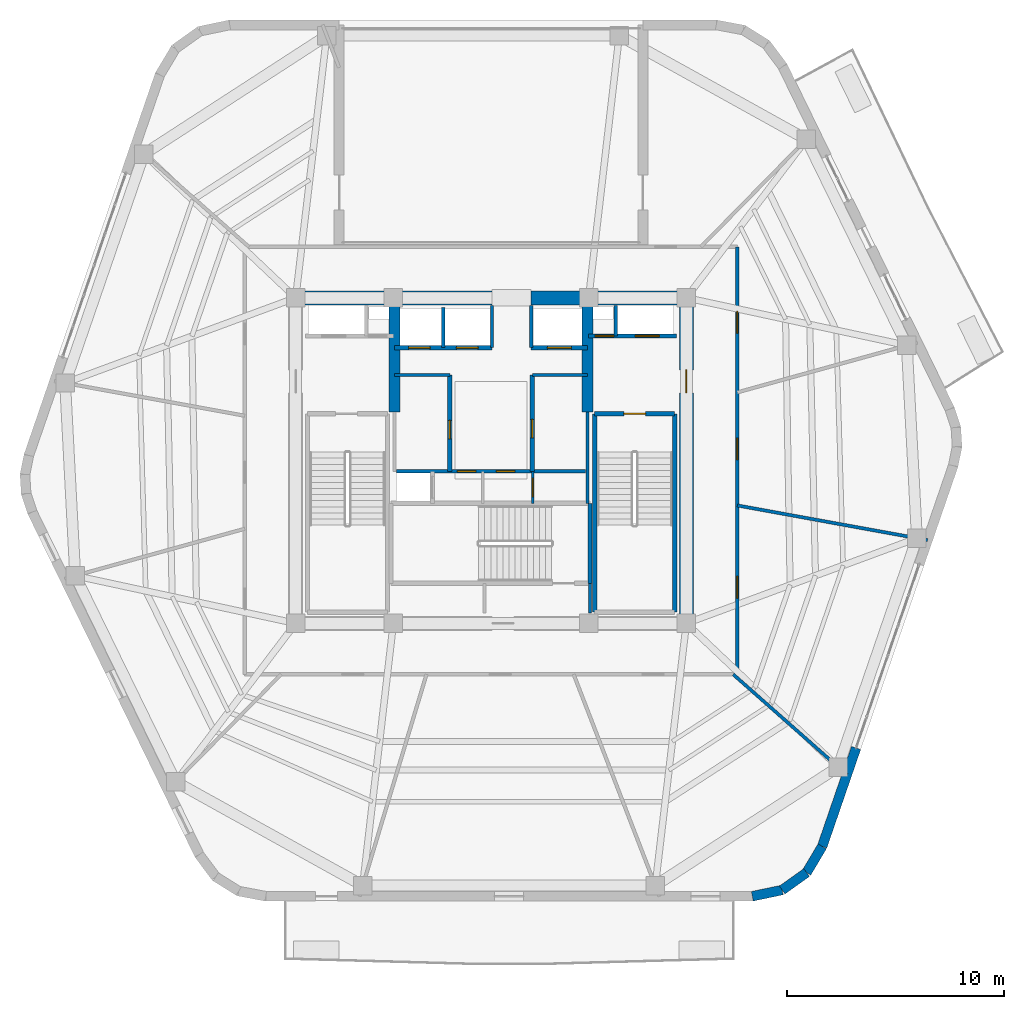
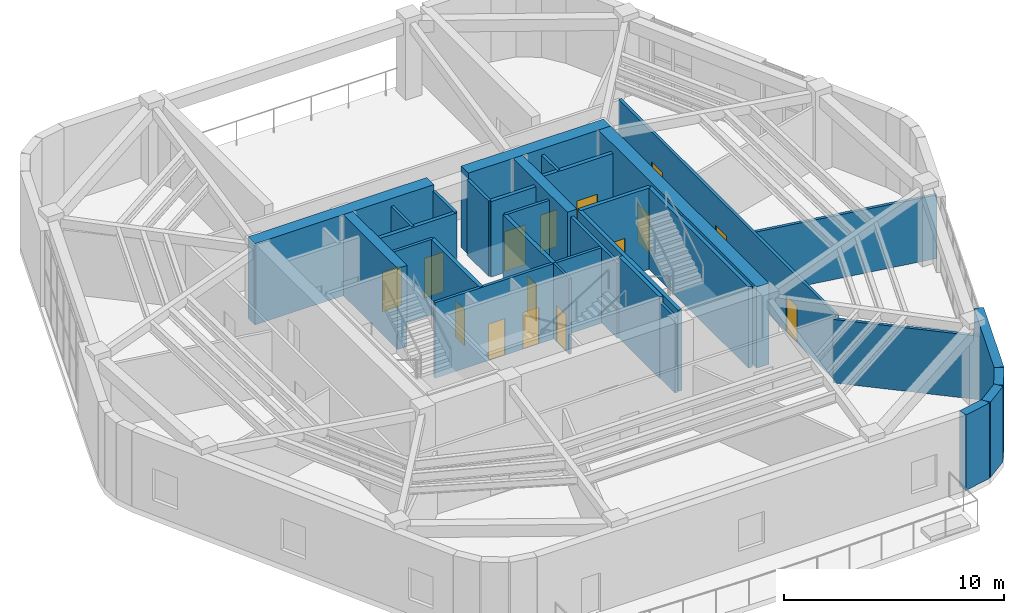
# One storey, part 12 of 15: 31 walls, 15 doors, 15 openings.
"""IFC4 building model written with IfcOpenShell, lengths in metres."""

from ifc_helpers import new_model, si_unit, direction, frame, frame_2d, origin, place, context, subcontext, project, spatial, rectangle, extrude, material, layer, layer_set, type_object, element, fill, save


model = new_model("IFC4")

# Units and contexts
model_context = context("Model", 3, precision=1e-05, world=origin(), true_north=direction((0.0, 1.0)))
body_context = subcontext(model_context, "Body", "Model", "MODEL_VIEW")
ifc_project = project(units=[si_unit("LENGTHUNIT", "METRE"), si_unit("AREAUNIT", "SQUARE_METRE"), si_unit("VOLUMEUNIT", "CUBIC_METRE"), si_unit("PLANEANGLEUNIT", "RADIAN"), si_unit("MASSUNIT", "GRAM", prefix="KILO")], contexts=[model_context])

# Site, building, storey
site_placement = place(None, origin())
site = spatial("IfcSite", under=ifc_project, at=site_placement, CompositionType="ELEMENT")
building_placement = place(site_placement, origin())
building = spatial("IfcBuilding", under=site, at=building_placement, Name="Kilnhurst Terrace Hotel", CompositionType="ELEMENT")
storey_placement = place(building_placement, frame((0.0, 0.0, 288.60009765625)))
storey = spatial("IfcBuildingStorey", under=building, at=storey_placement, Name="L72", CompositionType="ELEMENT", Elevation=288.60009765625)

# Walls
ifc_material_1 = material(Name="Precast concrete C40/50", Category="concrete")
ifc_layer_1 = layer(ifc_material_1, 0.449951171875, Name="Precast concrete C40/50")
ifc_layer_set_1 = layer_set([ifc_layer_1], Name="Precast concrete C40/50")
wall_type_1 = type_object("IfcWallType", Name="WL-BRK-450", PredefinedType="SOLIDWALL", material=ifc_layer_set_1)
wall_1_placement = place(storey_placement, frame((12.038330078125, -20.074951171875, 0.0), z_axis=(0.0, 0.0, 1.0), x_axis=(0.978750122553, 0.205056571711, 0.0)))
element("IfcWall", 1, at=wall_1_placement, inside=storey, type_object=wall_type_1, Name="L72 Rounded Corner Brick Wall C2.1", PredefinedType="SOLIDWALL", context=body_context, shape_type="SweptSolid", body=[
    extrude(rectangle(XDim=1.406005859375, YDim=0.449951171875, at=frame_2d((0.703125, 0.0))), origin(), (0.0, 0.0, 1.0), 4.179931640625),
])
wall_2_placement = place(storey_placement, frame((13.41455078125, -19.78662109375, 0.0), z_axis=(0.0, 0.0, 1.0), x_axis=(0.814055493997, 0.580787097561, 0.0)))
element("IfcWall", 2, at=wall_2_placement, inside=storey, type_object=wall_type_1, Name="L72 Rounded Corner Brick Wall C2.2", PredefinedType="SOLIDWALL", context=body_context, shape_type="SweptSolid", body=[
    extrude(rectangle(XDim=1.382568359375, YDim=0.449951171875, at=frame_2d((0.69140625, 0.0))), origin(), (0.0, 0.0, 1.0), 4.179931640625),
])
wall_3_placement = place(storey_placement, frame((14.5400390625, -18.983642578125, 0.0), z_axis=(0.0, 0.0, 1.0), x_axis=(0.512374906623, 0.858761873317, 0.0)))
element("IfcWall", 3, at=wall_3_placement, inside=storey, type_object=wall_type_1, Name="L72 Rounded Corner Brick Wall C2.3", PredefinedType="SOLIDWALL", context=body_context, shape_type="SweptSolid", body=[
    extrude(rectangle(XDim=1.406005859375, YDim=0.449951171875, at=frame_2d((0.703125, 0.0))), origin(), (0.0, 0.0, 1.0), 4.179931640625),
])
wall_4_placement = place(storey_placement, frame((15.260498046875, -17.776123046875, 0.0), z_axis=(0.0, 0.0, 1.0), x_axis=(0.325408461582, 0.945573547182, 0.0)))
element("IfcWall", 4, at=wall_4_placement, inside=storey, type_object=wall_type_1, Name="L72 Face 2 Brick Pier 1", PredefinedType="SOLIDWALL", context=body_context, shape_type="SweptSolid", body=[
    extrude(rectangle(XDim=4.794921875, YDim=0.449951171875, at=frame_2d((2.3974609375, 0.0))), origin(), (0.0, 0.0, 1.0), 4.179931640625),
])

# Wall, openings, doors
ifc_material_2 = material(Name="Acoustic Double-Gypsum Corridor Partition Assembly")
ifc_layer_2 = layer(ifc_material_2, 0.14990234375, Name="Acoustic Double-Gypsum Corridor Partition Assembly")
ifc_layer_set_2 = layer_set([ifc_layer_2], Name="Acoustic Double-Gypsum Corridor Partition Assembly")
wall_type_2 = type_object("IfcWallType", Name="WL-COR-150", PredefinedType="PARTITIONING", material=ifc_layer_set_2)
wall_5_placement = place(storey_placement, frame((11.35009765625, 9.85009765625, 0.0), z_axis=(0.0, 0.0, 1.0), x_axis=(0.0, -1.0, 0.0)))
wall_5 = element("IfcWall", 5, at=wall_5_placement, inside=storey, type_object=wall_type_2, Name="L72 Interior Wall WL-L72-COR-02", PredefinedType="PARTITIONING", context=body_context, shape_type="SweptSolid", body=[
    extrude(rectangle(XDim=19.7001953125, YDim=0.14990234375, at=frame_2d((9.85009765625, 0.0))), origin(), (0.0, 0.0, 1.0), 3.669921875),
])
opening_1_placement = place(wall_5_placement, frame((2.972900390625, 0.0, 0.0)))
opening_1 = element("IfcOpeningElement", 6, at=opening_1_placement, cuts=wall_5, Name="Opening D-10A", PredefinedType="OPENING", context=body_context, shape_type="SweptSolid", body=[
    extrude(rectangle(XDim=1.0, YDim=2.030029296875, at=frame_2d((0.5, 1.01513671875))), frame((0.0, 0.0849609375, 0.0), z_axis=(0.0, -1.0, 0.0), x_axis=(1.0, 0.0, 0.0)), (0.0, 0.0, 1.0), 0.169921875),
])
opening_2_placement = place(wall_5_placement, frame((15.18896484375, 0.0, 0.0)))
opening_2 = element("IfcOpeningElement", 7, at=opening_2_placement, cuts=wall_5, Name="Opening D-10A", PredefinedType="OPENING", context=body_context, shape_type="SweptSolid", body=[
    extrude(rectangle(XDim=1.0, YDim=2.030029296875, at=frame_2d((0.5, 1.01513671875))), frame((0.0, 0.0849609375, 0.0), z_axis=(0.0, -1.0, 0.0), x_axis=(1.0, 0.0, 0.0)), (0.0, 0.0, 1.0), 0.169921875),
])
opening_3_placement = place(wall_5_placement, frame((8.81005859375, 0.0, 0.0)))
opening_3 = element("IfcOpeningElement", 8, at=opening_3_placement, cuts=wall_5, Name="Opening D-10A", PredefinedType="OPENING", context=body_context, shape_type="SweptSolid", body=[
    extrude(rectangle(XDim=1.0, YDim=2.030029296875, at=frame_2d((0.5, 1.01513671875))), frame((0.0, 0.0849609375, 0.0), z_axis=(0.0, -1.0, 0.0), x_axis=(1.0, 0.0, 0.0)), (0.0, 0.0, 1.0), 0.169921875),
])
ifc_material_3 = material(Name="Solid-Core American White Oak Interior Door")
door_type_1 = type_object("IfcDoorType", Name="DR-INT-1000", OperationType="NOTDEFINED", PredefinedType="DOOR", material=ifc_material_3)
door_1_placement = place(opening_1_placement, origin())
door_1 = element("IfcDoor", 9, at=door_1_placement, inside=storey, type_object=door_type_1, Name="L72 East Wind Portal Viewing Gallery West Wing Door", OperationType="SINGLE_SWING_LEFT", OverallHeight=2.030029296875, OverallWidth=1.0, PredefinedType="DOOR", context=body_context, shape_type="SweptSolid", body=[
    extrude(rectangle(XDim=1.0, YDim=2.030029296875, at=frame_2d((0.5, 1.01513671875))), frame((0.0, 0.02490234375, 0.0), z_axis=(0.0, -1.0, 0.0), x_axis=(1.0, 0.0, 0.0)), (0.0, 0.0, 1.0), 0.050048828125),
])
fill(opening_1, door_1)
door_2_placement = place(opening_2_placement, origin())
door_2 = element("IfcDoor", 10, at=door_2_placement, inside=storey, type_object=door_type_1, Name="L72 Portal Tasting Servery Kitchen Center Wing Door", OperationType="SINGLE_SWING_LEFT", OverallHeight=2.030029296875, OverallWidth=1.0, PredefinedType="DOOR", context=body_context, shape_type="SweptSolid", body=[
    extrude(rectangle(XDim=1.0, YDim=2.030029296875, at=frame_2d((0.5, 1.01513671875))), frame((0.0, 0.02490234375, 0.0), z_axis=(0.0, -1.0, 0.0), x_axis=(1.0, 0.0, 0.0)), (0.0, 0.0, 1.0), 0.050048828125),
])
fill(opening_2, door_2)
door_3_placement = place(opening_3_placement, origin())
door_3 = element("IfcDoor", 11, at=door_3_placement, inside=storey, type_object=door_type_1, Name="L72 Portal Accessible Toilets Block Door", OperationType="SINGLE_SWING_RIGHT", OverallHeight=2.030029296875, OverallWidth=1.0, PredefinedType="DOOR", context=body_context, shape_type="SweptSolid", body=[
    extrude(rectangle(XDim=1.0, YDim=2.030029296875, at=frame_2d((0.5, 1.01513671875))), frame((0.0, 0.02490234375, 0.0), z_axis=(0.0, -1.0, 0.0), x_axis=(1.0, 0.0, 0.0)), (0.0, 0.0, 1.0), 0.050048828125),
])
fill(opening_3, door_3)

# Walls
ifc_material_4 = material(Name="Concrete C60/75", Category="concrete")
ifc_layer_3 = layer(ifc_material_4, 0.64990234375, Name="Concrete C60/75")
ifc_layer_set_3 = layer_set([ifc_layer_3], Name="Concrete C60/75")
wall_type_3 = type_object("IfcWallType", Name="WL-CORE-650", PredefinedType="SHEAR", material=ifc_layer_set_3)
wall_6_placement = place(storey_placement, frame((-9.324951171875, 7.5, 0.0), z_axis=(0.0, 0.0, 1.0), x_axis=(1.0, 0.0, 0.0)))
element("IfcWall", 12, at=wall_6_placement, inside=storey, type_object=wall_type_3, Name="L72 Core North West Shear Wall", PredefinedType="SHEAR", context=body_context, shape_type="SweptSolid", body=[
    extrude(rectangle(XDim=9.375, YDim=0.64990234375, at=frame_2d((4.6875, 0.0))), origin(), (0.0, 0.0, 1.0), 4.5),
])
wall_7_placement = place(storey_placement, frame((1.85009765625, 7.5, 0.0), z_axis=(0.0, 0.0, 1.0), x_axis=(1.0, 0.0, 0.0)))
element("IfcWall", 13, at=wall_7_placement, inside=storey, type_object=wall_type_3, Name="L72 Core North East Shear Wall", PredefinedType="SHEAR", context=body_context, shape_type="SweptSolid", body=[
    extrude(rectangle(XDim=7.474853515625, YDim=0.64990234375, at=frame_2d((3.7373046875, 0.0))), origin(), (0.0, 0.0, 1.0), 4.5),
])

# Wall, opening, door
wall_8_placement = place(storey_placement, frame((9.0, -7.175048828125, 0.0), z_axis=(0.0, 0.0, 1.0), x_axis=(0.0, 1.0, 0.0)))
wall_8 = element("IfcWall", 14, at=wall_8_placement, inside=storey, type_object=wall_type_3, Name="L72 Core East Shear Wall", PredefinedType="SHEAR", context=body_context, shape_type="SweptSolid", body=[
    extrude(rectangle(XDim=14.35009765625, YDim=0.64990234375, at=frame_2d((7.175048828125, 0.0))), origin(), (0.0, 0.0, 1.0), 4.5),
])
opening_4_placement = place(wall_8_placement, frame((10.300048828125, 0.0, 0.0)))
opening_4 = element("IfcOpeningElement", 15, at=opening_4_placement, cuts=wall_8, Name="Opening D-90A", PredefinedType="OPENING", context=body_context, shape_type="SweptSolid", body=[
    extrude(rectangle(XDim=1.050048828125, YDim=2.14990234375, at=frame_2d((0.52490234375, 1.074951171875))), frame((0.0, 0.3349609375, 0.0), z_axis=(0.0, -1.0, 0.0), x_axis=(1.0, 0.0, 0.0)), (0.0, 0.0, 1.0), 0.669921875),
])
ifc_material_5 = material(Name="Painted Hollow Metal Steel ASTM A36 Fire Door", Category="steel")
door_type_2 = type_object("IfcDoorType", Name="DR-FD90-1050", OperationType="NOTDEFINED", PredefinedType="DOOR", material=ifc_material_5)
door_4_placement = place(opening_4_placement, origin())
door_4 = element("IfcDoor", 16, at=door_4_placement, inside=storey, type_object=door_type_2, Name="L72 East Firefighting Lobby Door", OperationType="SINGLE_SWING_LEFT", OverallHeight=2.14990234375, OverallWidth=1.050048828125, PredefinedType="DOOR", context=body_context, shape_type="SweptSolid", body=[
    extrude(rectangle(XDim=1.050048828125, YDim=2.14990234375, at=frame_2d((0.52490234375, 1.074951171875))), frame((0.0, 0.02490234375, 0.0), z_axis=(0.0, -1.0, 0.0), x_axis=(1.0, 0.0, 0.0)), (0.0, 0.0, 1.0), 0.050048828125),
])
fill(opening_4, door_4)

# Walls
ifc_layer_4 = layer(ifc_material_4, 0.5, Name="Concrete C60/75")
ifc_layer_set_4 = layer_set([ifc_layer_4], Name="Concrete C60/75")
wall_type_4 = type_object("IfcWallType", Name="WL-CORE-WEB-500", PredefinedType="SHEAR", material=ifc_layer_set_4)
for number, where, z_axis, x_axis, name in (
    (17, (-4.449951171875, 2.25, 0.0), (0.0, 0.0, 1.0), (0.0, 1.0, 0.0), "L72 Core Internal West Shear Web"),
    (18, (4.449951171875, 2.25, 0.0), (0.0, 0.0, 1.0), (0.0, 1.0, 0.0), "L72 Core Internal East Shear Web"),
):
    element("IfcWall", number, at=place(storey_placement, frame(where, z_axis=z_axis, x_axis=x_axis)), inside=storey, type_object=wall_type_4, Name=name, PredefinedType="SHEAR", context=body_context, shape_type="SweptSolid", body=[
        extrude(rectangle(XDim=4.925048828125, YDim=0.5, at=frame_2d((2.46240234375, 0.0))), origin(), (0.0, 0.0, 1.0), 4.5),
    ])

# Wall, opening, door
ifc_material_6 = material(Name="120 mm Moisture-Resistant Tile-Backed Bathroom Partition")
ifc_layer_5 = layer(ifc_material_6, 0.1201171875, Name="120 mm Moisture-Resistant Tile-Backed Bathroom Partition")
ifc_layer_set_5 = layer_set([ifc_layer_5], Name="120 mm Moisture-Resistant Tile-Backed Bathroom Partition")
wall_type_5 = type_object("IfcWallType", Name="WL-PART-120", PredefinedType="PARTITIONING", material=ifc_layer_set_5)
wall_9_placement = place(storey_placement, frame((1.919921875, -1.971923828125, 0.0), z_axis=(0.0, 0.0, 1.0), x_axis=(0.0, 1.0, 0.0)))
wall_9 = element("IfcWall", 19, at=wall_9_placement, inside=storey, type_object=wall_type_5, Name="L72 Interior Wall WL-L72-BOH-C2", PredefinedType="PARTITIONING", context=body_context, shape_type="SweptSolid", body=[
    extrude(rectangle(XDim=1.471923828125, YDim=0.1201171875, at=frame_2d((0.73583984375, 0.0))), origin(), (0.0, 0.0, 1.0), 4.179931640625),
])
opening_5_placement = place(wall_9_placement, frame((0.300048828125, 0.0, 0.0)))
opening_5 = element("IfcOpeningElement", 20, at=opening_5_placement, cuts=wall_9, Name="Opening D-08A", PredefinedType="OPENING", context=body_context, shape_type="SweptSolid", body=[
    extrude(rectangle(XDim=0.85009765625, YDim=2.030029296875, at=frame_2d((0.425048828125, 1.01513671875))), frame((0.0, 0.070068359375, 0.0), z_axis=(0.0, -1.0, 0.0), x_axis=(1.0, 0.0, 0.0)), (0.0, 0.0, 1.0), 0.14013671875),
])
ifc_material_7 = material(Name="Moisture-Resistant Lacquered En-suite Bathroom Door")
door_type_3 = type_object("IfcDoorType", Name="DR-INT-850", OperationType="NOTDEFINED", PredefinedType="DOOR", material=ifc_material_7)
door_5_placement = place(opening_5_placement, origin())
door_5 = element("IfcDoor", 21, at=door_5_placement, inside=storey, type_object=door_type_3, Name="L72 Staff Restroom Door", OperationType="SINGLE_SWING_RIGHT", OverallHeight=2.030029296875, OverallWidth=0.85009765625, PredefinedType="DOOR", context=body_context, shape_type="SweptSolid", body=[
    extrude(rectangle(XDim=0.85009765625, YDim=2.030029296875, at=frame_2d((0.425048828125, 1.01513671875))), frame((0.0, 0.02490234375, 0.0), z_axis=(0.0, -1.0, 0.0), x_axis=(1.0, 0.0, 0.0)), (0.0, 0.0, 1.0), 0.050048828125),
])
fill(opening_5, door_5)

# Walls
ifc_material_8 = material(Name="150 mm Acoustic Gypsum Hospitality Partition")
ifc_layer_6 = layer(ifc_material_8, 0.14990234375, Name="150 mm Acoustic Gypsum Hospitality Partition")
ifc_layer_set_6 = layer_set([ifc_layer_6], Name="150 mm Acoustic Gypsum Hospitality Partition")
wall_type_6 = type_object("IfcWallType", Name="WL-PART-150", PredefinedType="PARTITIONING", material=ifc_layer_set_6)
wall_10_placement = place(storey_placement, frame((11.1572265625, -9.85009765625, 0.0), z_axis=(0.0, 0.0, 1.0), x_axis=(0.74966962095, -0.661812253909, 0.0)))
element("IfcWall", 22, at=wall_10_placement, inside=storey, type_object=wall_type_6, Name="L72 Interior Wall WL-L72-SCOL-11-1", PredefinedType="PARTITIONING", context=body_context, shape_type="SweptSolid", body=[
    extrude(rectangle(XDim=6.98876953125, YDim=0.14990234375, at=frame_2d((3.494384765625, 0.0))), origin(), (0.0, 0.0, 1.0), 3.52001953125),
])
wall_11_placement = place(storey_placement, frame((11.35009765625, -2.067138671875, 0.0), z_axis=(0.0, 0.0, 1.0), x_axis=(0.983816386236, -0.179179569634, 0.0)))
element("IfcWall", 23, at=wall_11_placement, inside=storey, type_object=wall_type_6, Name="L72 Interior Wall WL-L72-SCOL-12-1", PredefinedType="PARTITIONING", context=body_context, shape_type="SweptSolid", body=[
    extrude(rectangle(XDim=8.9111328125, YDim=0.14990234375, at=frame_2d((4.45556640625, 0.0))), origin(), (0.0, 0.0, 1.0), 3.52001953125),
])
ifc_material_9 = material(Name="Fire-Rated Gypsum Shaftliner Assembly")
ifc_layer_7 = layer(ifc_material_9, 0.14990234375, Name="Fire-Rated Gypsum Shaftliner Assembly")
ifc_layer_set_7 = layer_set([ifc_layer_7], Name="Fire-Rated Gypsum Shaftliner Assembly")
wall_type_7 = type_object("IfcWallType", Name="WL-SHAFT-150", PredefinedType="PARTITIONING", material=ifc_layer_set_7)
wall_12_placement = place(storey_placement, frame((4.55810546875, -7.02001953125, 0.0), z_axis=(0.0, 0.0, 1.0), x_axis=(0.0, 1.0, 0.0)))
element("IfcWall", 24, at=wall_12_placement, inside=storey, type_object=wall_type_7, Name="L72 Interior Wall WL-L72-ST3-PSGE", PredefinedType="PARTITIONING", context=body_context, shape_type="SweptSolid", body=[
    extrude(rectangle(XDim=1.362060546875, YDim=0.14990234375, at=frame_2d((0.68115234375, 0.0))), origin(), (0.0, 0.0, 1.0), 4.179931640625),
])
wall_13_placement = place(storey_placement, frame((5.75, 5.739990234375, 0.0), z_axis=(0.0, 0.0, 1.0), x_axis=(0.0, 1.0, 0.0)))
element("IfcWall", 25, at=wall_13_placement, inside=storey, type_object=wall_type_7, Name="L72 Interior Wall WL-L72-RIS2-DIV", PredefinedType="PARTITIONING", context=body_context, shape_type="SweptSolid", body=[
    extrude(rectangle(XDim=1.409912109375, YDim=0.14990234375, at=frame_2d((0.705078125, 0.0))), origin(), (0.0, 0.0, 1.0), 4.179931640625),
])
wall_14_placement = place(storey_placement, frame((-2.199951171875, 5.199951171875, 0.0), z_axis=(0.0, 0.0, 1.0), x_axis=(0.0, 1.0, 0.0)))
element("IfcWall", 26, at=wall_14_placement, inside=storey, type_object=wall_type_7, Name="L72 Interior Wall WL-L72-HR-DIV1", PredefinedType="PARTITIONING", context=body_context, shape_type="SweptSolid", body=[
    extrude(rectangle(XDim=1.85009765625, YDim=0.14990234375, at=frame_2d((0.925048828125, 0.0))), origin(), (0.0, 0.0, 1.0), 4.179931640625),
])
for number, where, z_axis, x_axis, name in (
    (27, (0.050048828125, 5.199951171875, 0.0), (0.0, 0.0, 1.0), (0.0, 1.0, 0.0), "L72 Interior Wall WL-L72-HR-PORTAL-W"),
    (28, (1.85009765625, 5.199951171875, 0.0), (0.0, 0.0, 1.0), (0.0, 1.0, 0.0), "L72 Interior Wall WL-L72-HR-PORTAL-E"),
):
    element("IfcWall", number, at=place(storey_placement, frame(where, z_axis=z_axis, x_axis=x_axis)), inside=storey, type_object=wall_type_7, Name=name, PredefinedType="PARTITIONING", context=body_context, shape_type="SweptSolid", body=[
        extrude(rectangle(XDim=1.949951171875, YDim=0.14990234375, at=frame_2d((0.97509765625, 0.0))), origin(), (0.0, 0.0, 1.0), 4.179931640625),
    ])
wall_15_placement = place(storey_placement, frame((4.449951171875, -1.971923828125, 0.0), z_axis=(0.0, 0.0, 1.0), x_axis=(0.0, 1.0, 0.0)))
element("IfcWall", 29, at=wall_15_placement, inside=storey, type_object=wall_type_7, Name="L72 Interior Wall WL-L72-XLOB-E", PredefinedType="PARTITIONING", context=body_context, shape_type="SweptSolid", body=[
    extrude(rectangle(XDim=4.221923828125, YDim=0.14990234375, at=frame_2d((2.11083984375, 0.0))), origin(), (0.0, 0.0, 1.0), 4.179931640625),
])
for number, where, z_axis, x_axis, name in (
    (30, (-4.449951171875, 3.93994140625, 0.0), (0.0, 0.0, 1.0), (1.0, 0.0, 0.0), "L72 Interior Wall WL-L72-LR-NORTH"),
    (31, (1.89990234375, 3.93994140625, 0.0), (0.0, 0.0, 1.0), (1.0, 0.0, 0.0), "L72 Interior Wall WL-L72-MR-NORTH"),
):
    element("IfcWall", number, at=place(storey_placement, frame(where, z_axis=z_axis, x_axis=x_axis)), inside=storey, type_object=wall_type_7, Name=name, PredefinedType="PARTITIONING", context=body_context, shape_type="SweptSolid", body=[
        extrude(rectangle(XDim=2.550048828125, YDim=0.14990234375, at=frame_2d((1.27490234375, 0.0))), origin(), (0.0, 0.0, 1.0), 4.179931640625),
    ])

# Wall, openings, doors
wall_16_placement = place(storey_placement, frame((-4.360107421875, -0.489990234375, 0.0), z_axis=(0.0, 0.0, 1.0), x_axis=(1.0, 0.0, 0.0)))
wall_16 = element("IfcWall", 32, at=wall_16_placement, inside=storey, type_object=wall_type_7, Name="L72 Interior Wall WL-L72-BOH-N", PredefinedType="PARTITIONING", context=body_context, shape_type="SweptSolid", body=[
    extrude(rectangle(XDim=8.72021484375, YDim=0.14990234375, at=frame_2d((4.360107421875, 0.0))), origin(), (0.0, 0.0, 1.0), 4.179931640625),
])
opening_6_placement = place(wall_16_placement, frame((2.81005859375, 0.0, 0.0)))
opening_6 = element("IfcOpeningElement", 33, at=opening_6_placement, cuts=wall_16, Name="Opening D-60D", PredefinedType="OPENING", context=body_context, shape_type="SweptSolid", body=[
    extrude(rectangle(XDim=0.85009765625, YDim=2.030029296875, at=frame_2d((0.425048828125, 1.01513671875))), frame((0.0, 0.0849609375, 0.0), z_axis=(0.0, -1.0, 0.0), x_axis=(1.0, 0.0, 0.0)), (0.0, 0.0, 1.0), 0.169921875),
])
opening_7_placement = place(wall_16_placement, frame((4.610107421875, 0.0, 0.0)))
opening_7 = element("IfcOpeningElement", 34, at=opening_7_placement, cuts=wall_16, Name="Opening D-60D", PredefinedType="OPENING", context=body_context, shape_type="SweptSolid", body=[
    extrude(rectangle(XDim=0.85009765625, YDim=2.030029296875, at=frame_2d((0.425048828125, 1.01513671875))), frame((0.0, 0.0849609375, 0.0), z_axis=(0.0, -1.0, 0.0), x_axis=(1.0, 0.0, 0.0)), (0.0, 0.0, 1.0), 0.169921875),
])
ifc_material_10 = material(Name="Painted Hollow Metal Steel ASTM A36 Riser Door", Category="steel")
door_type_4 = type_object("IfcDoorType", Name="DR-FD60-850", OperationType="NOTDEFINED", PredefinedType="DOOR", material=ifc_material_10)
door_6_placement = place(opening_6_placement, origin())
door_6 = element("IfcDoor", 35, at=door_6_placement, inside=storey, type_object=door_type_4, Name="L72 Housekeeping Station Door", OperationType="SINGLE_SWING_LEFT", OverallHeight=2.030029296875, OverallWidth=0.85009765625, PredefinedType="DOOR", context=body_context, shape_type="SweptSolid", body=[
    extrude(rectangle(XDim=0.85009765625, YDim=2.030029296875, at=frame_2d((0.425048828125, 1.01513671875))), frame((0.0, 0.02490234375, 0.0), z_axis=(0.0, -1.0, 0.0), x_axis=(1.0, 0.0, 0.0)), (0.0, 0.0, 1.0), 0.050048828125),
])
fill(opening_6, door_6)
door_7_placement = place(opening_7_placement, origin())
door_7 = element("IfcDoor", 36, at=door_7_placement, inside=storey, type_object=door_type_4, Name="L72 Beverage Pantry Door", OperationType="SINGLE_SWING_RIGHT", OverallHeight=2.030029296875, OverallWidth=0.85009765625, PredefinedType="DOOR", context=body_context, shape_type="SweptSolid", body=[
    extrude(rectangle(XDim=0.85009765625, YDim=2.030029296875, at=frame_2d((0.425048828125, 1.01513671875))), frame((0.0, 0.02490234375, 0.0), z_axis=(0.0, -1.0, 0.0), x_axis=(1.0, 0.0, 0.0)), (0.0, 0.0, 1.0), 0.050048828125),
])
fill(opening_7, door_7)

ifc_material_11 = material(Name="Autoclaved Aerated Concrete C30/37 and Gypsum Shaft Assembly", Category="concrete")
ifc_layer_8 = layer(ifc_material_11, 0.199951171875, Name="Autoclaved Aerated Concrete C30/37 and Gypsum Shaft Assembly")
ifc_layer_set_8 = layer_set([ifc_layer_8], Name="Autoclaved Aerated Concrete C30/37 and Gypsum Shaft Assembly")
wall_type_8 = type_object("IfcWallType", Name="WL-SHAFT-200", PredefinedType="PARTITIONING", material=ifc_layer_set_8)
wall_17_placement = place(storey_placement, frame((4.5, 5.739990234375, 0.0), z_axis=(0.0, 0.0, 1.0), x_axis=(1.0, 0.0, 0.0)))
wall_17 = element("IfcWall", 37, at=wall_17_placement, inside=storey, type_object=wall_type_8, Name="L72 Interior Wall WL-L72-FSAE2-S", PredefinedType="PARTITIONING", context=body_context, shape_type="SweptSolid", body=[
    extrude(rectangle(XDim=4.050048828125, YDim=0.199951171875, at=frame_2d((2.02490234375, 0.0))), origin(), (0.0, 0.0, 1.0), 4.179931640625),
])
opening_8_placement = place(wall_17_placement, frame((0.300048828125, 0.0, 0.0)))
opening_8 = element("IfcOpeningElement", 38, at=opening_8_placement, cuts=wall_17, Name="Opening D-60D", PredefinedType="OPENING", context=body_context, shape_type="SweptSolid", body=[
    extrude(rectangle(XDim=0.85009765625, YDim=2.030029296875, at=frame_2d((0.425048828125, 1.01513671875))), frame((0.0, 0.10986328125, 0.0), z_axis=(0.0, -1.0, 0.0), x_axis=(1.0, 0.0, 0.0)), (0.0, 0.0, 1.0), 0.219970703125),
])
opening_9_placement = place(wall_17_placement, frame((2.14990234375, 0.0, 0.0)))
opening_9 = element("IfcOpeningElement", 39, at=opening_9_placement, cuts=wall_17, Name="Opening LD-F2", PredefinedType="OPENING", context=body_context, shape_type="SweptSolid", body=[
    extrude(rectangle(XDim=1.10009765625, YDim=2.199951171875, at=frame_2d((0.550048828125, 1.10009765625))), frame((0.0, 0.10986328125, 0.0), z_axis=(0.0, -1.0, 0.0), x_axis=(1.0, 0.0, 0.0)), (0.0, 0.0, 1.0), 0.219970703125),
])
door_8_placement = place(opening_8_placement, origin())
door_8 = element("IfcDoor", 40, at=door_8_placement, inside=storey, type_object=door_type_4, Name="L72 Telecom Riser Door", OperationType="SINGLE_SWING_RIGHT", OverallHeight=2.030029296875, OverallWidth=0.85009765625, PredefinedType="DOOR", context=body_context, shape_type="SweptSolid", body=[
    extrude(rectangle(XDim=0.85009765625, YDim=2.030029296875, at=frame_2d((0.425048828125, 1.01513671875))), frame((0.0, 0.02490234375, 0.0), z_axis=(0.0, -1.0, 0.0), x_axis=(1.0, 0.0, 0.0)), (0.0, 0.0, 1.0), 0.050048828125),
])
fill(opening_8, door_8)
ifc_material_12 = material(Name="Bronze-Anodized Stainless Steel AISI 316L Sliding Door", Category="steel")
door_type_5 = type_object("IfcDoorType", Name="DR-LIFT-1100", OperationType="NOTDEFINED", PredefinedType="DOOR", material=ifc_material_12)
door_9_placement = place(opening_9_placement, origin())
door_9 = element("IfcDoor", 41, at=door_9_placement, inside=storey, type_object=door_type_5, Name="L72 FSAE-2 Landing Door", OperationType="SLIDING_TO_RIGHT", OverallHeight=2.199951171875, OverallWidth=1.10009765625, PredefinedType="DOOR", context=body_context, shape_type="SweptSolid", body=[
    extrude(rectangle(XDim=1.10009765625, YDim=2.199951171875, at=frame_2d((0.550048828125, 1.10009765625))), frame((0.0, 0.02490234375, 0.0), z_axis=(0.0, -1.0, 0.0), x_axis=(1.0, 0.0, 0.0)), (0.0, 0.0, 1.0), 0.050048828125),
])
fill(opening_9, door_9)

wall_18_placement = place(storey_placement, frame((-4.449951171875, 5.199951171875, 0.0), z_axis=(0.0, 0.0, 1.0), x_axis=(1.0, 0.0, 0.0)))
wall_18 = element("IfcWall", 42, at=wall_18_placement, inside=storey, type_object=wall_type_8, Name="L72 Interior Wall WL-L72-HR-SW", PredefinedType="PARTITIONING", context=body_context, shape_type="SweptSolid", body=[
    extrude(rectangle(XDim=4.5, YDim=0.199951171875, at=frame_2d((2.25, 0.0))), origin(), (0.0, 0.0, 1.0), 4.179931640625),
])
opening_10_placement = place(wall_18_placement, frame((0.64990234375, 0.0, 0.0)))
opening_10 = element("IfcOpeningElement", 43, at=opening_10_placement, cuts=wall_18, Name="Opening LD-HR", PredefinedType="OPENING", context=body_context, shape_type="SweptSolid", body=[
    extrude(rectangle(XDim=1.0, YDim=2.199951171875, at=frame_2d((0.5, 1.10009765625))), frame((0.0, 0.10986328125, 0.0), z_axis=(0.0, -1.0, 0.0), x_axis=(1.0, 0.0, 0.0)), (0.0, 0.0, 1.0), 0.219970703125),
])
opening_11_placement = place(wall_18_placement, frame((2.85009765625, 0.0, 0.0)))
opening_11 = element("IfcOpeningElement", 44, at=opening_11_placement, cuts=wall_18, Name="Opening LD-HS", PredefinedType="OPENING", context=body_context, shape_type="SweptSolid", body=[
    extrude(rectangle(XDim=1.0, YDim=2.199951171875, at=frame_2d((0.5, 1.10009765625))), frame((0.0, 0.10986328125, 0.0), z_axis=(0.0, -1.0, 0.0), x_axis=(1.0, 0.0, 0.0)), (0.0, 0.0, 1.0), 0.219970703125),
])
door_type_6 = type_object("IfcDoorType", Name="DR-LIFT-1000", OperationType="NOTDEFINED", PredefinedType="DOOR", material=ifc_material_12)
door_10_placement = place(opening_10_placement, origin())
door_10 = element("IfcDoor", 45, at=door_10_placement, inside=storey, type_object=door_type_6, Name="L72 High Rise Lift HR-1 Landing Door", OperationType="SLIDING_TO_LEFT", OverallHeight=2.199951171875, OverallWidth=1.0, PredefinedType="DOOR", context=body_context, shape_type="SweptSolid", body=[
    extrude(rectangle(XDim=1.0, YDim=2.199951171875, at=frame_2d((0.5, 1.10009765625))), frame((0.0, 0.02490234375, 0.0), z_axis=(0.0, -1.0, 0.0), x_axis=(1.0, 0.0, 0.0)), (0.0, 0.0, 1.0), 0.050048828125),
])
fill(opening_10, door_10)
door_11_placement = place(opening_11_placement, origin())
door_11 = element("IfcDoor", 46, at=door_11_placement, inside=storey, type_object=door_type_6, Name="L72 High Rise Lift HR-3 Landing Door", OperationType="SLIDING_TO_RIGHT", OverallHeight=2.199951171875, OverallWidth=1.0, PredefinedType="DOOR", context=body_context, shape_type="SweptSolid", body=[
    extrude(rectangle(XDim=1.0, YDim=2.199951171875, at=frame_2d((0.5, 1.10009765625))), frame((0.0, 0.02490234375, 0.0), z_axis=(0.0, -1.0, 0.0), x_axis=(1.0, 0.0, 0.0)), (0.0, 0.0, 1.0), 0.050048828125),
])
fill(opening_11, door_11)

# Wall, opening, door
wall_19_placement = place(storey_placement, frame((1.85009765625, 5.199951171875, 0.0), z_axis=(0.0, 0.0, 1.0), x_axis=(1.0, 0.0, 0.0)))
wall_19 = element("IfcWall", 47, at=wall_19_placement, inside=storey, type_object=wall_type_8, Name="L72 Interior Wall WL-L72-HR-SE", PredefinedType="PARTITIONING", context=body_context, shape_type="SweptSolid", body=[
    extrude(rectangle(XDim=2.599853515625, YDim=0.199951171875, at=frame_2d((1.2998046875, 0.0))), origin(), (0.0, 0.0, 1.0), 4.179931640625),
])
opening_12_placement = place(wall_19_placement, frame((0.75, 0.0, 0.0)))
opening_12 = element("IfcOpeningElement", 48, at=opening_12_placement, cuts=wall_19, Name="Opening LD-H2", PredefinedType="OPENING", context=body_context, shape_type="SweptSolid", body=[
    extrude(rectangle(XDim=1.10009765625, YDim=2.199951171875, at=frame_2d((0.550048828125, 1.10009765625))), frame((0.0, 0.10986328125, 0.0), z_axis=(0.0, -1.0, 0.0), x_axis=(1.0, 0.0, 0.0)), (0.0, 0.0, 1.0), 0.219970703125),
])
door_12_placement = place(opening_12_placement, origin())
door_12 = element("IfcDoor", 49, at=door_12_placement, inside=storey, type_object=door_type_5, Name="L72 High Rise Lift HR-2 Landing Door", OperationType="SLIDING_TO_RIGHT", OverallHeight=2.199951171875, OverallWidth=1.10009765625, PredefinedType="DOOR", context=body_context, shape_type="SweptSolid", body=[
    extrude(rectangle(XDim=1.10009765625, YDim=2.199951171875, at=frame_2d((0.550048828125, 1.10009765625))), frame((0.0, 0.02490234375, 0.0), z_axis=(0.0, -1.0, 0.0), x_axis=(1.0, 0.0, 0.0)), (0.0, 0.0, 1.0), 0.050048828125),
])
fill(opening_12, door_12)

wall_20_placement = place(storey_placement, frame((-1.89990234375, -0.5, 0.0), z_axis=(0.0, 0.0, 1.0), x_axis=(0.0, 1.0, 0.0)))
wall_20 = element("IfcWall", 50, at=wall_20_placement, inside=storey, type_object=wall_type_8, Name="L72 Interior Wall WL-L72-LR-FRONT", PredefinedType="PARTITIONING", context=body_context, shape_type="SweptSolid", body=[
    extrude(rectangle(XDim=4.43994140625, YDim=0.199951171875, at=frame_2d((2.219970703125, 0.0))), origin(), (0.0, 0.0, 1.0), 4.179931640625),
])
opening_13_placement = place(wall_20_placement, frame((1.5, 0.0, 0.0)))
opening_13 = element("IfcOpeningElement", 51, at=opening_13_placement, cuts=wall_20, Name="Opening D-60D", PredefinedType="OPENING", context=body_context, shape_type="SweptSolid", body=[
    extrude(rectangle(XDim=0.85009765625, YDim=2.030029296875, at=frame_2d((0.425048828125, 1.01513671875))), frame((0.0, 0.10986328125, 0.0), z_axis=(0.0, -1.0, 0.0), x_axis=(1.0, 0.0, 0.0)), (0.0, 0.0, 1.0), 0.219970703125),
])
door_13_placement = place(opening_13_placement, origin())
door_13 = element("IfcDoor", 52, at=door_13_placement, inside=storey, type_object=door_type_4, Name="L72 Reclaimed Linen Room Door", OperationType="SINGLE_SWING_LEFT", OverallHeight=2.030029296875, OverallWidth=0.85009765625, PredefinedType="DOOR", context=body_context, shape_type="SweptSolid", body=[
    extrude(rectangle(XDim=0.85009765625, YDim=2.030029296875, at=frame_2d((0.425048828125, 1.01513671875))), frame((0.0, 0.02490234375, 0.0), z_axis=(0.0, -1.0, 0.0), x_axis=(1.0, 0.0, 0.0)), (0.0, 0.0, 1.0), 0.050048828125),
])
fill(opening_13, door_13)

wall_21_placement = place(storey_placement, frame((1.89990234375, -0.5, 0.0), z_axis=(0.0, 0.0, 1.0), x_axis=(0.0, 1.0, 0.0)))
wall_21 = element("IfcWall", 53, at=wall_21_placement, inside=storey, type_object=wall_type_8, Name="L72 Interior Wall WL-L72-MR-FRONT", PredefinedType="PARTITIONING", context=body_context, shape_type="SweptSolid", body=[
    extrude(rectangle(XDim=4.43994140625, YDim=0.199951171875, at=frame_2d((2.219970703125, 0.0))), origin(), (0.0, 0.0, 1.0), 4.179931640625),
])
opening_14_placement = place(wall_21_placement, frame((1.550048828125, 0.0, 0.0)))
opening_14 = element("IfcOpeningElement", 54, at=opening_14_placement, cuts=wall_21, Name="Opening D-60D", PredefinedType="OPENING", context=body_context, shape_type="SweptSolid", body=[
    extrude(rectangle(XDim=0.85009765625, YDim=2.030029296875, at=frame_2d((0.425048828125, 1.01513671875))), frame((0.0, 0.10986328125, 0.0), z_axis=(0.0, -1.0, 0.0), x_axis=(1.0, 0.0, 0.0)), (0.0, 0.0, 1.0), 0.219970703125),
])
door_14_placement = place(opening_14_placement, origin())
door_14 = element("IfcDoor", 55, at=door_14_placement, inside=storey, type_object=door_type_4, Name="L72 Staff Accessible Restroom Door", OperationType="SINGLE_SWING_RIGHT", OverallHeight=2.030029296875, OverallWidth=0.85009765625, PredefinedType="DOOR", context=body_context, shape_type="SweptSolid", body=[
    extrude(rectangle(XDim=0.85009765625, YDim=2.030029296875, at=frame_2d((0.425048828125, 1.01513671875))), frame((0.0, 0.02490234375, 0.0), z_axis=(0.0, -1.0, 0.0), x_axis=(1.0, 0.0, 0.0)), (0.0, 0.0, 1.0), 0.050048828125),
])
fill(opening_14, door_14)

# Walls
ifc_material_13 = material(Name="Concrete C50/60", Category="concrete")
ifc_layer_9 = layer(ifc_material_13, 0.199951171875, Name="Concrete C50/60")
ifc_layer_set_9 = layer_set([ifc_layer_9], Name="Concrete C50/60")
wall_type_9 = type_object("IfcWallType", Name="WL-STAIR-RC-200", PredefinedType="SHEAR", material=ifc_layer_set_9)
for number, where, z_axis, x_axis, name in (
    (56, (4.77197265625, -6.985107421875, 0.0), (0.0, 0.0, 1.0), (0.0, 1.0, 0.0), "L72 Structural Stair Shaft Wall WL-L72-ST2-W"),
    (57, (8.4580078125, -6.985107421875, 0.0), (0.0, 0.0, 1.0), (0.0, 1.0, 0.0), "L72 Structural Stair Shaft Wall WL-L72-ST2-E"),
):
    element("IfcWall", number, at=place(storey_placement, frame(where, z_axis=z_axis, x_axis=x_axis)), inside=storey, type_object=wall_type_9, Name=name, PredefinedType="SHEAR", context=body_context, shape_type="SweptSolid", body=[
        extrude(rectangle(XDim=9.14306640625, YDim=0.199951171875, at=frame_2d((4.571533203125, 0.0))), origin(), (0.0, 0.0, 1.0), 4.5),
    ])

# Wall, opening, door
wall_22_placement = place(storey_placement, frame((4.77197265625, 2.157958984375, 0.0), z_axis=(0.0, 0.0, 1.0), x_axis=(1.0, 0.0, 0.0)))
wall_22 = element("IfcWall", 58, at=wall_22_placement, inside=storey, type_object=wall_type_9, Name="L72 Structural Stair Shaft Wall WL-L72-ST2-N", PredefinedType="SHEAR", context=body_context, shape_type="SweptSolid", body=[
    extrude(rectangle(XDim=3.68603515625, YDim=0.199951171875, at=frame_2d((1.843017578125, 0.0))), origin(), (0.0, 0.0, 1.0), 4.5),
])
opening_15_placement = place(wall_22_placement, frame((1.35009765625, 0.0, 0.0)))
opening_15 = element("IfcOpeningElement", 59, at=opening_15_placement, cuts=wall_22, Name="Opening D-90B", PredefinedType="OPENING", context=body_context, shape_type="SweptSolid", body=[
    extrude(rectangle(XDim=1.0, YDim=2.14990234375, at=frame_2d((0.5, 1.074951171875))), frame((0.0, 0.10986328125, 0.0), z_axis=(0.0, -1.0, 0.0), x_axis=(1.0, 0.0, 0.0)), (0.0, 0.0, 1.0), 0.219970703125),
])
door_type_7 = type_object("IfcDoorType", Name="DR-FD90-1000", OperationType="NOTDEFINED", PredefinedType="DOOR", material=ifc_material_5)
door_15_placement = place(opening_15_placement, origin())
door_15 = element("IfcDoor", 60, at=door_15_placement, inside=storey, type_object=door_type_7, Name="L72 Stair ST-2 Door", OperationType="SINGLE_SWING_RIGHT", OverallHeight=2.14990234375, OverallWidth=1.0, PredefinedType="DOOR", context=body_context, shape_type="SweptSolid", body=[
    extrude(rectangle(XDim=1.0, YDim=2.14990234375, at=frame_2d((0.5, 1.074951171875))), frame((0.0, 0.02490234375, 0.0), z_axis=(0.0, -1.0, 0.0), x_axis=(1.0, 0.0, 0.0)), (0.0, 0.0, 1.0), 0.050048828125),
])
fill(opening_15, door_15)

# Wall
wall_23_placement = place(storey_placement, frame((4.55810546875, -5.657958984375, 0.0), z_axis=(0.0, 0.0, 1.0), x_axis=(0.0, 1.0, 0.0)))
element("IfcWall", 61, at=wall_23_placement, inside=storey, type_object=wall_type_9, Name="L72 Structural Stair Shaft Wall WL-L72-ST3-E", PredefinedType="SHEAR", context=body_context, shape_type="SweptSolid", body=[
    extrude(rectangle(XDim=3.68603515625, YDim=0.199951171875, at=frame_2d((1.843017578125, 0.0))), origin(), (0.0, 0.0, 1.0), 4.5),
])

save(model, "model.ifc")
